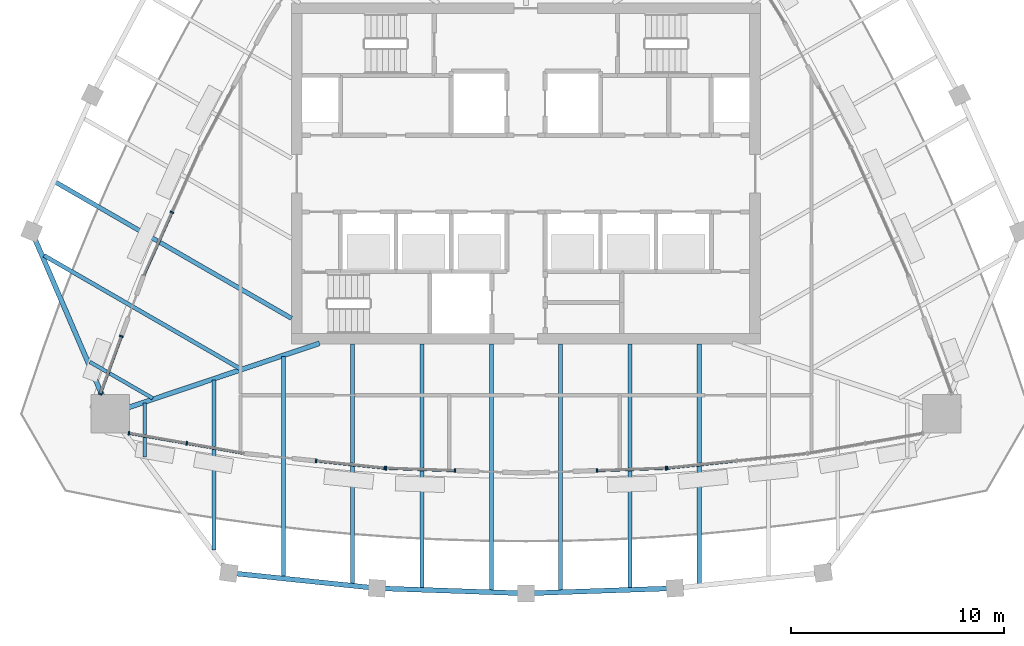
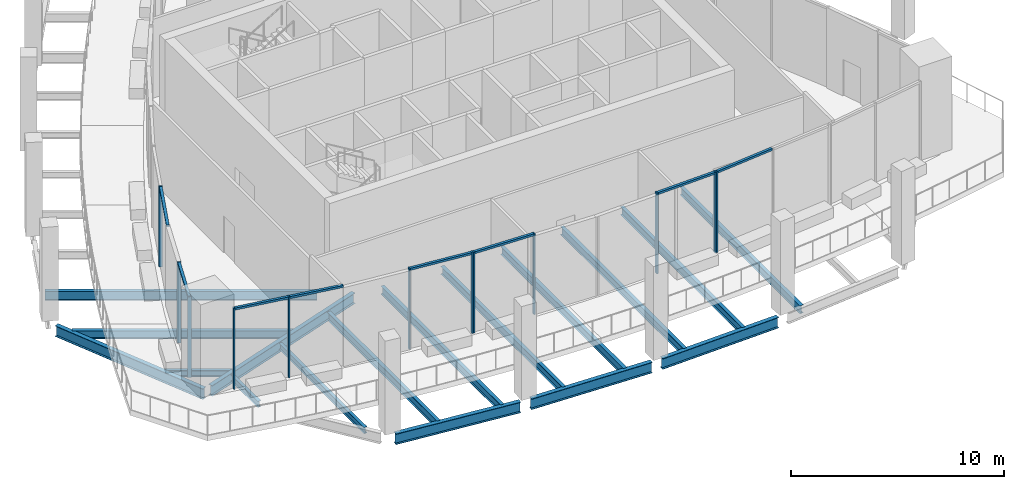
# One storey, part 2 of 14: 20 members, 17 beams, 7 elements without a shape of their own.
"""IFC4 building model written with IfcOpenShell, lengths in metres."""

from ifc_helpers import new_model, si_unit, direction, frame, origin, origin_2d, place, context, subcontext, project, spatial, rectangle, i_section, extrude, material, layer, layer_set, material_profile, profile_set, type_object, element, aggregate, save


model = new_model("IFC4")

# Units and contexts
model_context = context("Model", 3, precision=1e-05, world=origin(), true_north=direction((0.0, 1.0)))
body_context = subcontext(model_context, "Body", "Model", "MODEL_VIEW")
ifc_project = project(units=[si_unit("LENGTHUNIT", "METRE"), si_unit("AREAUNIT", "SQUARE_METRE"), si_unit("VOLUMEUNIT", "CUBIC_METRE"), si_unit("PLANEANGLEUNIT", "RADIAN"), si_unit("MASSUNIT", "GRAM", prefix="KILO")], contexts=[model_context])

# Site, building, storey
site_placement = place(None, origin())
site = spatial("IfcSite", under=ifc_project, at=site_placement, CompositionType="ELEMENT")
building_placement = place(site_placement, origin())
building = spatial("IfcBuilding", under=site, at=building_placement, Name="Sierra Prisma Convention Tower", CompositionType="ELEMENT")
storey_placement = place(building_placement, frame((0.0, 0.0, 339.39990234375)))
storey = spatial("IfcBuildingStorey", under=building, at=storey_placement, Name="L76", CompositionType="ELEMENT", Elevation=339.39990234375)

# Curtain wall, members
ifc_material_1 = material(Name="Aluminium and glass curtain wall", Category="aluminium")
ifc_layer = layer(ifc_material_1, 0.179931640625)
ifc_layer_set = layer_set([ifc_layer], Name="CW-5 Observation lounge curtain wall")
curtain_wall_type = type_object("IfcCurtainWallType", Name="CW-5 Observation lounge curtain wall", PredefinedType="NOTDEFINED", material=ifc_layer_set)
curtain_wall_1_placement = place(storey_placement, origin())
curtain_wall_1 = element("IfcCurtainWall", 1, at=curtain_wall_1_placement, inside=storey, type_object=curtain_wall_type, Name="CW-5 CS1 L76", PredefinedType="NOTDEFINED")
ifc_material_2 = material(Name="Aluminium 6063-T6 bronze anodised", Category="aluminium")
ifc_material_profile_1 = material_profile(ifc_material_2, rectangle(XDim=0.179931640625, YDim=0.070068359375, at=origin_2d()), Name="ALU MULLION 70x180")
ifc_profile_set_1 = profile_set([ifc_material_profile_1], Name="Aluminium 6063-T6 bronze anodised")
member_type_1 = type_object("IfcMemberType", Name="CW mullion bronze", PredefinedType="MULLION", material=ifc_profile_set_1)
member_1_placement = place(storey_placement, frame((-18.630615234375, -12.181640625, 0.0), z_axis=(0.0, 0.0, 1.0), x_axis=(0.172214339159, 0.985059501445, 0.0)))
member_1 = element("IfcMember", 2, at=member_1_placement, type_object=member_type_1, Name="CW-5 mullion CS1.1", PredefinedType="MULLION", context=body_context, shape_type="SweptSolid", body=[
    extrude(rectangle(XDim=0.179931640625, YDim=0.070068359375, at=origin_2d()), origin(), (0.0, 0.0, 1.0), 4.64013671875),
])
member_2_placement = place(storey_placement, frame((-15.9150390625, -12.65625, 0.0), z_axis=(0.0, 0.0, 1.0), x_axis=(0.172214339159, 0.985059501445, 0.0)))
member_2 = element("IfcMember", 3, at=member_2_placement, type_object=member_type_1, Name="CW-5 mullion CS1.2", PredefinedType="MULLION", context=body_context, shape_type="SweptSolid", body=[
    extrude(rectangle(XDim=0.179931640625, YDim=0.070068359375, at=origin_2d()), origin(), (0.0, 0.0, 1.0), 4.64013671875),
])

curtain_wall_2_placement = place(storey_placement, origin())
curtain_wall_2 = element("IfcCurtainWall", 4, at=curtain_wall_2_placement, inside=storey, type_object=curtain_wall_type, Name="CW-5 CS2 L76", PredefinedType="NOTDEFINED")
member_3_placement = place(storey_placement, frame((-9.8466796875, -13.48291015625, 0.0), z_axis=(0.0, 0.0, 1.0), x_axis=(0.103659745555, 0.994612817709, 0.0)))
member_3 = element("IfcMember", 5, at=member_3_placement, type_object=member_type_1, Name="CW-5 mullion CS2.1", PredefinedType="MULLION", context=body_context, shape_type="SweptSolid", body=[
    extrude(rectangle(XDim=0.179931640625, YDim=0.070068359375, at=origin_2d()), origin(), (0.0, 0.0, 1.0), 4.64013671875),
])
member_4_placement = place(storey_placement, frame((-6.633056640625, -13.81787109375, 0.0), z_axis=(0.0, 0.0, 1.0), x_axis=(0.103659745555, 0.994612817709, 0.0)))
member_4 = element("IfcMember", 6, at=member_4_placement, type_object=member_type_1, Name="CW-5 mullion CS2.2", PredefinedType="MULLION", context=body_context, shape_type="SweptSolid", body=[
    extrude(rectangle(XDim=0.179931640625, YDim=0.070068359375, at=origin_2d()), origin(), (0.0, 0.0, 1.0), 4.64013671875),
])

curtain_wall_3_placement = place(storey_placement, origin())
curtain_wall_3 = element("IfcCurtainWall", 7, at=curtain_wall_3_placement, inside=storey, type_object=curtain_wall_type, Name="CW-5 CS3 L76", PredefinedType="NOTDEFINED")
member_5_placement = place(storey_placement, frame((-6.563232421875, -13.82275390625, 0.0), z_axis=(0.0, 0.0, 1.0), x_axis=(0.034608518301, 0.999400945798, 0.0)))
member_5 = element("IfcMember", 8, at=member_5_placement, type_object=member_type_1, Name="CW-5 mullion CS3.1", PredefinedType="MULLION", context=body_context, shape_type="SweptSolid", body=[
    extrude(rectangle(XDim=0.179931640625, YDim=0.070068359375, at=origin_2d()), origin(), (0.0, 0.0, 1.0), 4.64013671875),
])
member_6_placement = place(storey_placement, frame((-3.333984375, -13.9345703125, 0.0), z_axis=(0.0, 0.0, 1.0), x_axis=(0.034608518301, 0.999400945798, 0.0)))
member_6 = element("IfcMember", 9, at=member_6_placement, type_object=member_type_1, Name="CW-5 mullion CS3.2", PredefinedType="MULLION", context=body_context, shape_type="SweptSolid", body=[
    extrude(rectangle(XDim=0.179931640625, YDim=0.070068359375, at=origin_2d()), origin(), (0.0, 0.0, 1.0), 4.64013671875),
])

curtain_wall_4_placement = place(storey_placement, origin())
curtain_wall_4 = element("IfcCurtainWall", 10, at=curtain_wall_4_placement, inside=storey, type_object=curtain_wall_type, Name="CW-5 CS4 L76", PredefinedType="NOTDEFINED")
member_7_placement = place(storey_placement, frame((3.333984375, -13.9345703125, 0.0), z_axis=(0.0, 0.0, 1.0), x_axis=(-0.034608518301, 0.999400945798, 0.0)))
member_7 = element("IfcMember", 11, at=member_7_placement, type_object=member_type_1, Name="CW-5 mullion CS4.1", PredefinedType="MULLION", context=body_context, shape_type="SweptSolid", body=[
    extrude(rectangle(XDim=0.179931640625, YDim=0.070068359375, at=origin_2d()), origin(), (0.0, 0.0, 1.0), 4.64013671875),
])
member_8_placement = place(storey_placement, frame((6.563232421875, -13.82275390625, 0.0), z_axis=(0.0, 0.0, 1.0), x_axis=(-0.034608518301, 0.999400945798, 0.0)))
member_8 = element("IfcMember", 12, at=member_8_placement, type_object=member_type_1, Name="CW-5 mullion CS4.2", PredefinedType="MULLION", context=body_context, shape_type="SweptSolid", body=[
    extrude(rectangle(XDim=0.179931640625, YDim=0.070068359375, at=origin_2d()), origin(), (0.0, 0.0, 1.0), 4.64013671875),
])

# Curtain wall, member
curtain_wall_5_placement = place(storey_placement, origin())
curtain_wall_5 = element("IfcCurtainWall", 13, at=curtain_wall_5_placement, inside=storey, type_object=curtain_wall_type, Name="CW-5 CS5 L76", PredefinedType="NOTDEFINED")
member_9_placement = place(storey_placement, frame((6.633056640625, -13.81787109375, 0.0), z_axis=(0.0, 0.0, 1.0), x_axis=(-0.103659745555, 0.994612817709, 0.0)))
member_9 = element("IfcMember", 14, at=member_9_placement, type_object=member_type_1, Name="CW-5 mullion CS5.1", PredefinedType="MULLION", context=body_context, shape_type="SweptSolid", body=[
    extrude(rectangle(XDim=0.179931640625, YDim=0.070068359375, at=origin_2d()), origin(), (0.0, 0.0, 1.0), 4.64013671875),
])

curtain_wall_6_placement = place(storey_placement, origin())
curtain_wall_6 = element("IfcCurtainWall", 15, at=curtain_wall_6_placement, inside=storey, type_object=curtain_wall_type, Name="CW-5 CNW5 L76", PredefinedType="NOTDEFINED")
member_10_placement = place(storey_placement, frame((-16.6142578125, -1.818115234375, 0.0), z_axis=(0.0, 0.0, 1.0), x_axis=(0.913189839843, -0.407534435854, 0.0)))
member_10 = element("IfcMember", 16, at=member_10_placement, type_object=member_type_1, Name="CW-5 mullion CNW5.2", PredefinedType="MULLION", context=body_context, shape_type="SweptSolid", body=[
    extrude(rectangle(XDim=0.179931640625, YDim=0.070068359375, at=origin_2d()), origin(), (0.0, 0.0, 1.0), 4.64013671875),
])

# Curtain wall, members
curtain_wall_7_placement = place(storey_placement, origin())
curtain_wall_7 = element("IfcCurtainWall", 17, at=curtain_wall_7_placement, inside=storey, type_object=curtain_wall_type, Name="CW-5 CNW6 L76", PredefinedType="NOTDEFINED")
member_11_placement = place(storey_placement, frame((-18.985107421875, -7.637451171875, 0.0), z_axis=(0.0, 0.0, 1.0), x_axis=(0.939193722071, -0.343387758115, 0.0)))
member_11 = element("IfcMember", 18, at=member_11_placement, type_object=member_type_1, Name="CW-5 mullion CNW6.1", PredefinedType="MULLION", context=body_context, shape_type="SweptSolid", body=[
    extrude(rectangle(XDim=0.179931640625, YDim=0.070068359375, at=origin_2d()), origin(), (0.0, 0.0, 1.0), 4.64013671875),
])
member_12_placement = place(storey_placement, frame((-19.974609375, -10.343994140625, 0.0), z_axis=(0.0, 0.0, 1.0), x_axis=(0.939193722071, -0.343387758115, 0.0)))
member_12 = element("IfcMember", 19, at=member_12_placement, type_object=member_type_1, Name="CW-5 mullion CNW6.2", PredefinedType="MULLION", context=body_context, shape_type="SweptSolid", body=[
    extrude(rectangle(XDim=0.179931640625, YDim=0.070068359375, at=origin_2d()), origin(), (0.0, 0.0, 1.0), 4.64013671875),
])

# Member
ifc_material_3 = material(Name="Aluminium 6063-T6 bronze anodised", Category="aluminium")
ifc_material_profile_2 = material_profile(ifc_material_3, rectangle(XDim=0.139892578125, YDim=0.1201171875, at=origin_2d()), Name="ALU TRANSOM 120x140")
ifc_profile_set_2 = profile_set([ifc_material_profile_2], Name="Aluminium 6063-T6 bronze anodised")
member_type_2 = type_object("IfcMemberType", Name="CW transom bronze", PredefinedType="USERDEFINED", material=ifc_profile_set_2)
member_13_placement = place(storey_placement, frame((-18.59619140625, -12.1875, 4.580078125), z_axis=(0.985048590279, -0.17227673897, 0.0), x_axis=(0.17227673897, 0.985048590279, 0.0)))
member_13 = element("IfcMember", 20, at=member_13_placement, type_object=member_type_2, Name="CW-5 transom CS1.1", ObjectType="TRANSOM", PredefinedType="USERDEFINED", context=body_context, shape_type="SweptSolid", body=[
    extrude(rectangle(XDim=0.139892578125, YDim=0.1201171875, at=origin_2d()), origin(), (0.0, 0.0, 1.0), 2.68701171875),
])

member_14_placement = place(storey_placement, frame((-15.880615234375, -12.662353515625, 4.580078125), z_axis=(0.985064006156, -0.172188570396, 0.0), x_axis=(0.172188570396, 0.985064006156, 0.0)))
member_14 = element("IfcMember", 21, at=member_14_placement, type_object=member_type_2, Name="CW-5 transom CS1.2", ObjectType="TRANSOM", PredefinedType="USERDEFINED", context=body_context, shape_type="SweptSolid", body=[
    extrude(rectangle(XDim=0.139892578125, YDim=0.1201171875, at=origin_2d()), origin(), (0.0, 0.0, 1.0), 2.686767578125),
])

aggregate(curtain_wall_1, [member_1, member_2, member_13, member_14])

member_15_placement = place(storey_placement, frame((-9.81201171875, -13.486572265625, 4.580078125), z_axis=(0.99461409701, -0.103647469963, 0.0), x_axis=(0.103647469963, 0.99461409701, 0.0)))
member_15 = element("IfcMember", 22, at=member_15_placement, type_object=member_type_2, Name="CW-5 transom CS2.1", ObjectType="TRANSOM", PredefinedType="USERDEFINED", context=body_context, shape_type="SweptSolid", body=[
    extrude(rectangle(XDim=0.139892578125, YDim=0.1201171875, at=origin_2d()), origin(), (0.0, 0.0, 1.0), 3.1611328125),
])

aggregate(curtain_wall_2, [member_3, member_4, member_15])

member_16_placement = place(storey_placement, frame((-6.5283203125, -13.823974609375, 4.580078125), z_axis=(0.999401220018, -0.034600598653, 0.0), x_axis=(0.034600598653, 0.999401220018, 0.0)))
member_16 = element("IfcMember", 23, at=member_16_placement, type_object=member_type_2, Name="CW-5 transom CS3.1", ObjectType="TRANSOM", PredefinedType="USERDEFINED", context=body_context, shape_type="SweptSolid", body=[
    extrude(rectangle(XDim=0.139892578125, YDim=0.1201171875, at=origin_2d()), origin(), (0.0, 0.0, 1.0), 3.1611328125),
])

aggregate(curtain_wall_3, [member_5, member_6, member_16])

member_17_placement = place(storey_placement, frame((3.369140625, -13.933349609375, 4.580078125), z_axis=(0.999401220018, 0.034600598653, 0.0), x_axis=(-0.034600598653, 0.999401220018, 0.0)))
member_17 = element("IfcMember", 24, at=member_17_placement, type_object=member_type_2, Name="CW-5 transom CS4.1", ObjectType="TRANSOM", PredefinedType="USERDEFINED", context=body_context, shape_type="SweptSolid", body=[
    extrude(rectangle(XDim=0.139892578125, YDim=0.1201171875, at=origin_2d()), origin(), (0.0, 0.0, 1.0), 3.1611328125),
])

aggregate(curtain_wall_4, [member_7, member_8, member_17])

member_18_placement = place(storey_placement, frame((6.66796875, -13.814208984375, 4.580078125), z_axis=(0.994612503281, 0.103662762439, 0.0), x_axis=(-0.103662762439, 0.994612503281, 0.0)))
member_18 = element("IfcMember", 25, at=member_18_placement, type_object=member_type_2, Name="CW-5 transom CS5.1", ObjectType="TRANSOM", PredefinedType="USERDEFINED", context=body_context, shape_type="SweptSolid", body=[
    extrude(rectangle(XDim=0.139892578125, YDim=0.1201171875, at=origin_2d()), origin(), (0.0, 0.0, 1.0), 3.196044921875),
])

aggregate(curtain_wall_5, [member_9, member_18])

member_19_placement = place(storey_placement, frame((-16.62841796875, -1.849853515625, 4.580078125), z_axis=(-0.407520039404, -0.913196264493, 0.0), x_axis=(0.913196264493, -0.407520039404, 0.0)))
member_19 = element("IfcMember", 26, at=member_19_placement, type_object=member_type_2, Name="CW-5 transom CNW5.2", ObjectType="TRANSOM", PredefinedType="USERDEFINED", context=body_context, shape_type="SweptSolid", body=[
    extrude(rectangle(XDim=0.139892578125, YDim=0.1201171875, at=origin_2d()), origin(), (0.0, 0.0, 1.0), 3.196044921875),
])

aggregate(curtain_wall_6, [member_10, member_19])

member_20_placement = place(storey_placement, frame((-18.9970703125, -7.67041015625, 4.580078125), z_axis=(-0.343422758538, -0.939180924486, 0.0), x_axis=(0.939180924486, -0.343422758538, 0.0)))
member_20 = element("IfcMember", 27, at=member_20_placement, type_object=member_type_2, Name="CW-5 transom CNW6.1", ObjectType="TRANSOM", PredefinedType="USERDEFINED", context=body_context, shape_type="SweptSolid", body=[
    extrude(rectangle(XDim=0.139892578125, YDim=0.1201171875, at=origin_2d()), origin(), (0.0, 0.0, 1.0), 2.8115234375),
])

aggregate(curtain_wall_7, [member_11, member_12, member_20])

# Beams
ifc_material_4 = material(Name="Steel ASTM A992 Gr 50", Category="steel")
ifc_material_profile_3 = material_profile(ifc_material_4, i_section(OverallWidth=0.172119140625, OverallDepth=0.35791015625, WebThickness=0.0078125, FlangeThickness=0.01318359375, at=origin_2d()), Name="W360x57")
ifc_profile_set_3 = profile_set([ifc_material_profile_3], Name="Steel ASTM A992 Gr 50")
beam_type_1 = type_object("IfcBeamType", Name="Floor joist W360x57", PredefinedType="JOIST", material=ifc_profile_set_3)
beam_1_placement = place(storey_placement, frame((-17.8876953125, -13.30419921875, -0.47900390625), z_axis=(0.0, 1.0, 0.0), x_axis=(-1.0, 0.0, 0.0)))
element("IfcBeam", 28, at=beam_1_placement, inside=storey, type_object=beam_type_1, Name="Floor joist L76 S01", PredefinedType="JOIST", context=body_context, shape_type="SweptSolid", body=[
    extrude(i_section(OverallWidth=0.172119140625, OverallDepth=0.35791015625, WebThickness=0.0078125, FlangeThickness=0.01318359375, at=origin_2d()), origin(), (0.0, 0.0, 1.0), 2.53662109375),
])
beam_2_placement = place(storey_placement, frame((-14.63525390625, -17.664794921875, -0.47900390625), z_axis=(0.0, 1.0, 0.0), x_axis=(-1.0, 0.0, 0.0)))
element("IfcBeam", 29, at=beam_2_placement, inside=storey, type_object=beam_type_1, Name="Floor joist L76 S02", PredefinedType="JOIST", context=body_context, shape_type="SweptSolid", body=[
    extrude(i_section(OverallWidth=0.172119140625, OverallDepth=0.35791015625, WebThickness=0.0078125, FlangeThickness=0.01318359375, at=origin_2d()), origin(), (0.0, 0.0, 1.0), 7.99072265625),
])
beam_3_placement = place(storey_placement, frame((-20.465576171875, -8.839111328125, -0.47900390625), z_axis=(0.866059270181, -0.499941337092, 0.0), x_axis=(0.499941337092, 0.866059270181, 0.0)))
element("IfcBeam", 30, at=beam_3_placement, inside=storey, type_object=beam_type_1, Name="Floor joist L76 NW12", PredefinedType="JOIST", context=body_context, shape_type="SweptSolid", body=[
    extrude(i_section(OverallWidth=0.172119140625, OverallDepth=0.35791015625, WebThickness=0.0078125, FlangeThickness=0.01318359375, at=origin_2d()), origin(), (0.0, 0.0, 1.0), 3.41162109375),
])
ifc_material_5 = material(Name="Steel ASTM A992 Gr 50", Category="steel")
ifc_material_profile_4 = material_profile(ifc_material_5, i_section(OverallWidth=0.18994140625, OverallDepth=0.45703125, WebThickness=0.009033203125, FlangeThickness=0.014404296875, at=origin_2d()), Name="W460x74")
ifc_profile_set_4 = profile_set([ifc_material_profile_4], Name="Steel ASTM A992 Gr 50")
beam_type_2 = type_object("IfcBeamType", Name="Floor joist W460x74", PredefinedType="JOIST", material=ifc_profile_set_4)
beam_4_placement = place(storey_placement, frame((-11.383056640625, -18.9345703125, -0.5283203125), z_axis=(0.0, 1.0, 0.0), x_axis=(-1.0, 0.0, 0.0)))
element("IfcBeam", 31, at=beam_4_placement, inside=storey, type_object=beam_type_2, Name="Floor joist L76 S03", PredefinedType="JOIST", context=body_context, shape_type="SweptSolid", body=[
    extrude(i_section(OverallWidth=0.18994140625, OverallDepth=0.45703125, WebThickness=0.009033203125, FlangeThickness=0.014404296875, at=origin_2d()), origin(), (0.0, 0.0, 1.0), 10.354248046875),
])
beam_5_placement = place(storey_placement, frame((-8.130615234375, -19.2734375, -0.5283203125), z_axis=(0.0, 1.0, 0.0), x_axis=(-1.0, 0.0, 0.0)))
element("IfcBeam", 32, at=beam_5_placement, inside=storey, type_object=beam_type_2, Name="Floor joist L76 S04", PredefinedType="JOIST", context=body_context, shape_type="SweptSolid", body=[
    extrude(i_section(OverallWidth=0.18994140625, OverallDepth=0.45703125, WebThickness=0.009033203125, FlangeThickness=0.014404296875, at=origin_2d()), origin(), (0.0, 0.0, 1.0), 11.2734375),
])
beam_6_placement = place(storey_placement, frame((-4.87841796875, -19.466064453125, -0.5283203125), z_axis=(0.0, 1.0, 0.0), x_axis=(-1.0, 0.0, 0.0)))
element("IfcBeam", 33, at=beam_6_placement, inside=storey, type_object=beam_type_2, Name="Floor joist L76 S05", PredefinedType="JOIST", context=body_context, shape_type="SweptSolid", body=[
    extrude(i_section(OverallWidth=0.18994140625, OverallDepth=0.45703125, WebThickness=0.009033203125, FlangeThickness=0.014404296875, at=origin_2d()), origin(), (0.0, 0.0, 1.0), 11.466064453125),
])
for number, where, z_axis, x_axis, name in (
    (34, (-1.626220703125, -19.57861328125, -0.5283203125), (0.0, 1.0, 0.0), (-1.0, 0.0, 0.0), "Floor joist L76 S06"),
    (35, (1.626220703125, -19.57861328125, -0.5283203125), (0.0, 1.0, 0.0), (-1.0, 0.0, 0.0), "Floor joist L76 S07"),
):
    element("IfcBeam", number, at=place(storey_placement, frame(where, z_axis=z_axis, x_axis=x_axis)), inside=storey, type_object=beam_type_2, Name=name, PredefinedType="JOIST", context=body_context, shape_type="SweptSolid", body=[
        extrude(i_section(OverallWidth=0.18994140625, OverallDepth=0.45703125, WebThickness=0.009033203125, FlangeThickness=0.014404296875, at=origin_2d()), origin(), (0.0, 0.0, 1.0), 11.57861328125),
    ])
beam_7_placement = place(storey_placement, frame((4.87841796875, -19.466064453125, -0.5283203125), z_axis=(0.0, 1.0, 0.0), x_axis=(-1.0, 0.0, 0.0)))
element("IfcBeam", 36, at=beam_7_placement, inside=storey, type_object=beam_type_2, Name="Floor joist L76 S08", PredefinedType="JOIST", context=body_context, shape_type="SweptSolid", body=[
    extrude(i_section(OverallWidth=0.18994140625, OverallDepth=0.45703125, WebThickness=0.009033203125, FlangeThickness=0.014404296875, at=origin_2d()), origin(), (0.0, 0.0, 1.0), 11.466064453125),
])
beam_8_placement = place(storey_placement, frame((8.130615234375, -19.2734375, -0.5283203125), z_axis=(0.0, 1.0, 0.0), x_axis=(-1.0, 0.0, 0.0)))
element("IfcBeam", 37, at=beam_8_placement, inside=storey, type_object=beam_type_2, Name="Floor joist L76 S09", PredefinedType="JOIST", context=body_context, shape_type="SweptSolid", body=[
    extrude(i_section(OverallWidth=0.18994140625, OverallDepth=0.45703125, WebThickness=0.009033203125, FlangeThickness=0.014404296875, at=origin_2d()), origin(), (0.0, 0.0, 1.0), 11.2734375),
])
beam_9_placement = place(storey_placement, frame((-22.61572265625, -3.84228515625, -0.5283203125), z_axis=(0.866026257313, -0.499998521642, 0.0), x_axis=(0.499998521642, 0.866026257313, 0.0)))
element("IfcBeam", 38, at=beam_9_placement, inside=storey, type_object=beam_type_2, Name="Floor joist L76 NW11", PredefinedType="JOIST", context=body_context, shape_type="SweptSolid", body=[
    extrude(i_section(OverallWidth=0.18994140625, OverallDepth=0.45703125, WebThickness=0.009033203125, FlangeThickness=0.014404296875, at=origin_2d()), origin(), (0.0, 0.0, 1.0), 10.640625),
])
ifc_material_6 = material(Name="Steel ASTM A992 Gr 50", Category="steel")
ifc_material_profile_5 = material_profile(ifc_material_6, i_section(OverallWidth=0.208984375, OverallDepth=0.532958984375, WebThickness=0.01025390625, FlangeThickness=0.015625, at=origin_2d()), Name="W530x92")
ifc_profile_set_5 = profile_set([ifc_material_profile_5], Name="Steel ASTM A992 Gr 50")
beam_type_3 = type_object("IfcBeamType", Name="Floor joist W530x92", PredefinedType="JOIST", material=ifc_profile_set_5)
beam_10_placement = place(storey_placement, frame((-22.089111328125, -0.390869140625, -0.56640625), z_axis=(0.866023971986, -0.50000247994, 0.0), x_axis=(0.50000247994, 0.866023971986, 0.0)))
element("IfcBeam", 39, at=beam_10_placement, inside=storey, type_object=beam_type_3, Name="Floor joist L76 NW10", PredefinedType="JOIST", context=body_context, shape_type="SweptSolid", body=[
    extrude(i_section(OverallWidth=0.208984375, OverallDepth=0.532958984375, WebThickness=0.01025390625, FlangeThickness=0.015625, at=origin_2d()), origin(), (0.0, 0.0, 1.0), 12.8046875),
])
ifc_material_7 = material(Name="Steel ASTM A992 Gr 50", Category="steel")
ifc_material_profile_6 = material_profile(ifc_material_7, i_section(OverallWidth=0.22802734375, OverallDepth=0.60302734375, WebThickness=0.010498046875, FlangeThickness=0.014892578125, at=origin_2d()), Name="W610x101")
ifc_profile_set_6 = profile_set([ifc_material_profile_6], Name="Steel ASTM A992 Gr 50")
beam_type_4 = type_object("IfcBeamType", Name="Radial girder W610x101", PredefinedType="BEAM", material=ifc_profile_set_6)
beam_11_placement = place(storey_placement, frame((-19.333740234375, -11.205810546875, -0.451416015625), z_axis=(0.947845267428, 0.318730841016, 0.0), x_axis=(-0.318730841016, 0.947845267428, 0.0)))
element("IfcBeam", 40, at=beam_11_placement, inside=storey, type_object=beam_type_4, Name="Radial girder L76 SW", PredefinedType="BEAM", context=body_context, shape_type="SweptSolid", body=[
    extrude(i_section(OverallWidth=0.22802734375, OverallDepth=0.60302734375, WebThickness=0.010498046875, FlangeThickness=0.014892578125, at=origin_2d()), origin(), (0.0, 0.0, 1.0), 10.17822265625),
])
ifc_material_8 = material(Name="Steel ASTM A992 Gr 50", Category="steel")
ifc_material_profile_7 = material_profile(ifc_material_8, i_section(OverallWidth=0.22998046875, OverallDepth=0.616943359375, WebThickness=0.01318359375, FlangeThickness=0.022216796875, at=origin_2d()), Name="W610x140")
ifc_profile_set_7 = profile_set([ifc_material_profile_7], Name="Steel ASTM A992 Gr 50")
beam_type_5 = type_object("IfcBeamType", Name="Spandrel beam W610x140", PredefinedType="BEAM", material=ifc_profile_set_7)
for number, where, z_axis, x_axis, name in (
    (41, (-13.666015625, -18.76220703125, -0.6083984375), (0.994614089718, -0.103647539933, 0.0), (0.103647539933, 0.994614089718, 0.0), "Spandrel L76-02"),
    (42, (-6.708984375, -19.4677734375, -0.6083984375), (0.999402116652, -0.034574690627, 0.0), (0.034574690627, 0.999402116652, 0.0), "Spandrel L76-03"),
    (43, (0.280029296875, -19.690185546875, -0.6083984375), (0.999402116652, 0.034574690627, 0.0), (-0.034574690627, 0.999402116652, 0.0), "Spandrel L76-04"),
):
    element("IfcBeam", number, at=place(storey_placement, frame(where, z_axis=z_axis, x_axis=x_axis)), inside=storey, type_object=beam_type_5, Name=name, PredefinedType="BEAM", context=body_context, shape_type="SweptSolid", body=[
        extrude(i_section(OverallWidth=0.22998046875, OverallDepth=0.616943359375, WebThickness=0.01318359375, FlangeThickness=0.022216796875, at=origin_2d()), origin(), (0.0, 0.0, 1.0), 6.432861328125),
    ])
beam_12_placement = place(storey_placement, frame((-23.020751953125, -3.1162109375, -0.6083984375), z_axis=(0.395280641587, -0.918560403232, 0.0), x_axis=(0.918560403232, 0.395280641587, 0.0)))
element("IfcBeam", 44, at=beam_12_placement, inside=storey, type_object=beam_type_5, Name="Spandrel L76-18", PredefinedType="BEAM", context=body_context, shape_type="SweptSolid", body=[
    extrude(i_section(OverallWidth=0.22998046875, OverallDepth=0.616943359375, WebThickness=0.01318359375, FlangeThickness=0.022216796875, at=origin_2d()), origin(), (0.0, 0.0, 1.0), 8.676513671875),
])

save(model, "model.ifc")
